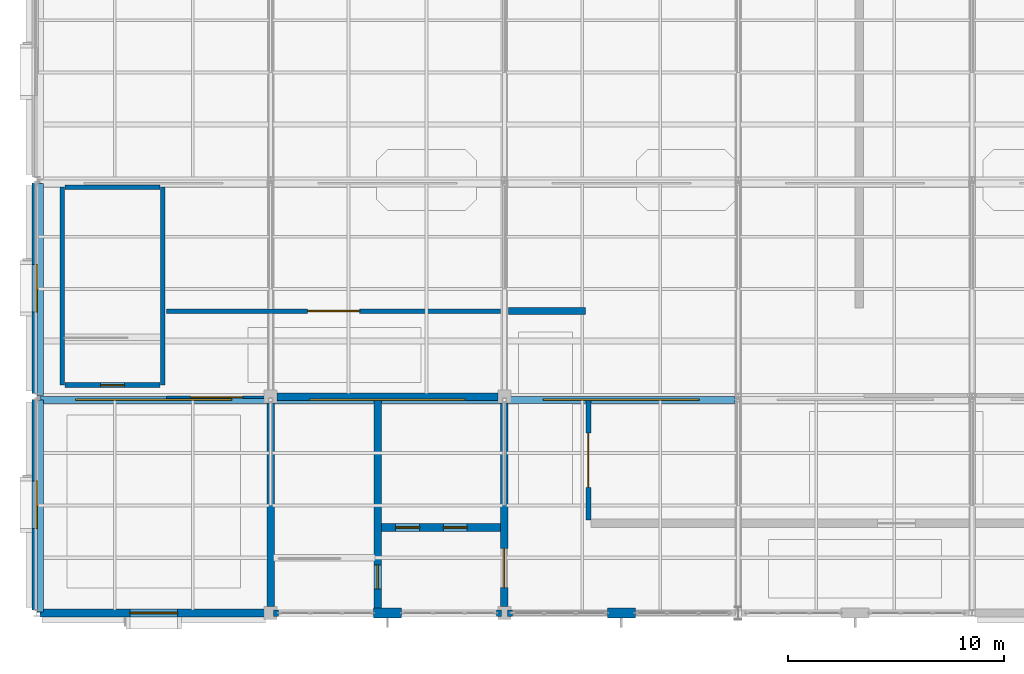
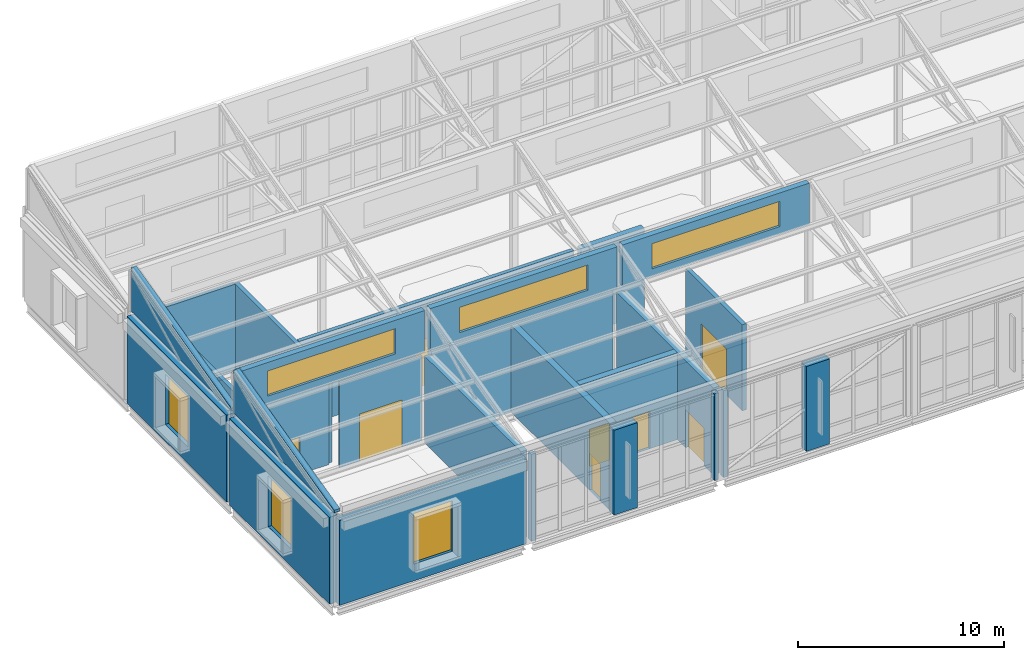
# One storey, part 39 of 49: 26 walls, 8 doors, 6 windows, 14 openings.
"""IFC4 building model written with IfcOpenShell, lengths in metres."""

from ifc_helpers import new_model, si_unit, direction, frame, frame_2d, origin, place, context, subcontext, project, spatial, polyline, rectangle, outline, extrude, material, layer, layer_set, type_object, element, fill, save


model = new_model("IFC4")

# Units and contexts
model_context = context("Model", 3, precision=1e-05, world=origin(), true_north=direction((0.0, 1.0)))
body_context = subcontext(model_context, "Body", "Model", "MODEL_VIEW")
ifc_project = project(units=[si_unit("LENGTHUNIT", "METRE"), si_unit("AREAUNIT", "SQUARE_METRE"), si_unit("VOLUMEUNIT", "CUBIC_METRE"), si_unit("PLANEANGLEUNIT", "RADIAN"), si_unit("MASSUNIT", "GRAM", prefix="KILO")], contexts=[model_context])

# Site, building, storey
site_placement = place(None, origin())
site = spatial("IfcSite", under=ifc_project, at=site_placement, CompositionType="ELEMENT")
building_placement = place(site_placement, origin())
building = spatial("IfcBuilding", under=site, at=building_placement, Name="Tasgan Crest Museum", CompositionType="ELEMENT")
storey_placement = place(building_placement, frame((0.0, 0.0, 28.800048828125)))
storey = spatial("IfcBuildingStorey", under=building, at=storey_placement, Name="L05", CompositionType="ELEMENT", Elevation=28.800048828125)

# Walls
ifc_material_1 = material(Name="Concrete C40/50", Category="concrete")
ifc_layer_1 = layer(ifc_material_1, 0.35009765625, Name="WL-CORE-350")
ifc_layer_set_1 = layer_set([ifc_layer_1], Name="Concrete C40/50")
wall_type_1 = type_object("IfcWallType", Name="WL-CORE-350", PredefinedType="SHEAR", material=ifc_layer_set_1)
wall_1_placement = place(storey_placement, frame((11.10009765625, 92.0, 0.0), z_axis=(0.0, 0.0, 1.0), x_axis=(1.0, 0.0, 0.0)))
element("IfcWall", 1, at=wall_1_placement, inside=storey, type_object=wall_type_1, Name="North-West Gallery Core north shear wall L05", PredefinedType="SHEAR", context=body_context, shape_type="SweptSolid", body=[
    extrude(rectangle(XDim=10.199951171875, YDim=0.35009765625, at=frame_2d((5.10009765625, 0.0))), origin(), (0.0, 0.0, 1.0), 5.159912109375),
])
wall_2_placement = place(storey_placement, frame((10.800048828125, 82.300048828125, 0.0), z_axis=(0.0, 0.0, 1.0), x_axis=(0.0, 1.0, 0.0)))
element("IfcWall", 2, at=wall_2_placement, inside=storey, type_object=wall_type_1, Name="North-West Gallery Core west shear wall L05", PredefinedType="SHEAR", context=body_context, shape_type="SweptSolid", body=[
    extrude(rectangle(XDim=9.39990234375, YDim=0.35009765625, at=frame_2d((4.699951171875, 0.0))), origin(), (0.0, 0.0, 1.0), 5.159912109375),
])

# Wall, opening, door
wall_3_placement = place(storey_placement, frame((21.60009765625, 82.300048828125, 0.0), z_axis=(0.0, 0.0, 1.0), x_axis=(0.0, 1.0, 0.0)))
wall_3 = element("IfcWall", 3, at=wall_3_placement, inside=storey, type_object=wall_type_1, Name="North-West Gallery Core east shear wall L05", PredefinedType="SHEAR", context=body_context, shape_type="SweptSolid", body=[
    extrude(rectangle(XDim=9.39990234375, YDim=0.35009765625, at=frame_2d((4.699951171875, 0.0))), origin(), (0.0, 0.0, 1.0), 5.159912109375),
])
opening_1_placement = place(wall_3_placement, frame((0.8798828125, 0.0, 0.0)))
opening_1 = element("IfcOpeningElement", 4, at=opening_1_placement, cuts=wall_3, Name="Opening LD-NW-L05", PredefinedType="OPENING", context=body_context, shape_type="SweptSolid", body=[
    extrude(rectangle(XDim=1.800048828125, YDim=2.25, at=frame_2d((0.89990234375, 1.125))), frame((0.0, 0.18505859375, 0.0), z_axis=(0.0, -1.0, 0.0), x_axis=(1.0, 0.0, 0.0)), (0.0, 0.0, 1.0), 0.3701171875),
])
ifc_material_2 = material(Name="Fire-Rated Double Lobby Door")
door_type_1 = type_object("IfcDoorType", Name="DR-FD2-1800", OperationType="NOTDEFINED", PredefinedType="DOOR", material=ifc_material_2)
door_1_placement = place(opening_1_placement, origin())
door_1 = element("IfcDoor", 5, at=door_1_placement, inside=storey, type_object=door_type_1, Name="North-West Gallery Core lobby door L05", OperationType="DOUBLE_DOOR_SINGLE_SWING", OverallHeight=2.25, OverallWidth=1.800048828125, PredefinedType="DOOR", context=body_context, shape_type="SweptSolid", body=[
    extrude(rectangle(XDim=1.800048828125, YDim=2.25, at=frame_2d((0.89990234375, 1.125))), frame((0.0, 0.02490234375, 0.0), z_axis=(0.0, -1.0, 0.0), x_axis=(1.0, 0.0, 0.0)), (0.0, 0.0, 1.0), 0.050048828125),
])
fill(opening_1, door_1)

wall_4_placement = place(storey_placement, frame((15.75, 82.219970703125, 0.0), z_axis=(0.0, 0.0, 1.0), x_axis=(0.0, 1.0, 0.0)))
wall_4 = element("IfcWall", 6, at=wall_4_placement, inside=storey, type_object=wall_type_1, Name="North-West Gallery Core stair-lobby shear wall L05", PredefinedType="SHEAR", context=body_context, shape_type="SweptSolid", body=[
    extrude(rectangle(XDim=9.60498046875, YDim=0.35009765625, at=frame_2d((4.802490234375, 0.0))), origin(), (0.0, 0.0, 1.0), 5.159912109375),
])
opening_2_placement = place(wall_4_placement, frame((0.89990234375, 0.0, 0.0)))
opening_2 = element("IfcOpeningElement", 7, at=opening_2_placement, cuts=wall_4, Name="Opening SD-NW-L05", PredefinedType="OPENING", context=body_context, shape_type="SweptSolid", body=[
    extrude(rectangle(XDim=1.10009765625, YDim=2.199951171875, at=frame_2d((0.550048828125, 1.10009765625))), frame((0.0, 0.18505859375, 0.0), z_axis=(0.0, -1.0, 0.0), x_axis=(1.0, 0.0, 0.0)), (0.0, 0.0, 1.0), 0.3701171875),
])
ifc_material_3 = material(Name="Fire-Rated Steel Door", Category="steel")
door_type_2 = type_object("IfcDoorType", Name="DR-FD1-1100", OperationType="NOTDEFINED", PredefinedType="DOOR", material=ifc_material_3)
door_2_placement = place(opening_2_placement, origin())
door_2 = element("IfcDoor", 8, at=door_2_placement, inside=storey, type_object=door_type_2, Name="North-West Gallery Core stair door L05", OperationType="SINGLE_SWING_RIGHT", OverallHeight=2.199951171875, OverallWidth=1.10009765625, PredefinedType="DOOR", context=body_context, shape_type="SweptSolid", body=[
    extrude(rectangle(XDim=1.10009765625, YDim=2.199951171875, at=frame_2d((0.550048828125, 1.10009765625))), frame((0.0, 0.02490234375, 0.0), z_axis=(0.0, -1.0, 0.0), x_axis=(1.0, 0.0, 0.0)), (0.0, 0.0, 1.0), 0.050048828125),
])
fill(opening_2, door_2)

# Wall, openings, doors
wall_5_placement = place(storey_placement, frame((15.929931640625, 85.949951171875, 0.0), z_axis=(0.0, 0.0, 1.0), x_axis=(1.0, 0.0, 0.0)))
wall_5 = element("IfcWall", 9, at=wall_5_placement, inside=storey, type_object=wall_type_1, Name="North-West Gallery Core lift-shaft wall L05", PredefinedType="SHEAR", context=body_context, shape_type="SweptSolid", body=[
    extrude(rectangle(XDim=5.489990234375, YDim=0.35009765625, at=frame_2d((2.7451171875, 0.0))), origin(), (0.0, 0.0, 1.0), 5.159912109375),
])
opening_3_placement = place(wall_5_placement, frame((0.64990234375, 0.0, 0.0)))
opening_3 = element("IfcOpeningElement", 10, at=opening_3_placement, cuts=wall_5, Name="Opening LD-FL1", PredefinedType="OPENING", context=body_context, shape_type="SweptSolid", body=[
    extrude(rectangle(XDim=1.10009765625, YDim=2.199951171875, at=frame_2d((0.550048828125, 1.10009765625))), frame((0.0, 0.18505859375, 0.0), z_axis=(0.0, -1.0, 0.0), x_axis=(1.0, 0.0, 0.0)), (0.0, 0.0, 1.0), 0.3701171875),
])
opening_4_placement = place(wall_5_placement, frame((2.85009765625, 0.0, 0.0)))
opening_4 = element("IfcOpeningElement", 11, at=opening_4_placement, cuts=wall_5, Name="Opening LD-PL1", PredefinedType="OPENING", context=body_context, shape_type="SweptSolid", body=[
    extrude(rectangle(XDim=1.10009765625, YDim=2.199951171875, at=frame_2d((0.550048828125, 1.10009765625))), frame((0.0, 0.18505859375, 0.0), z_axis=(0.0, -1.0, 0.0), x_axis=(1.0, 0.0, 0.0)), (0.0, 0.0, 1.0), 0.3701171875),
])
ifc_material_4 = material(Name="Stainless Steel Firefighting Lift Landing Door", Category="steel")
door_type_3 = type_object("IfcDoorType", Name="LD-FF-1100", OperationType="NOTDEFINED", PredefinedType="DOOR", material=ifc_material_4)
door_3_placement = place(opening_3_placement, origin())
door_3 = element("IfcDoor", 12, at=door_3_placement, inside=storey, type_object=door_type_3, Name="Firefighting lift landing door FL1 L05", OperationType="DOUBLE_DOOR_SLIDING", OverallHeight=2.199951171875, OverallWidth=1.10009765625, PredefinedType="DOOR", context=body_context, shape_type="SweptSolid", body=[
    extrude(rectangle(XDim=1.10009765625, YDim=2.199951171875, at=frame_2d((0.550048828125, 1.10009765625))), frame((0.0, 0.02490234375, 0.0), z_axis=(0.0, -1.0, 0.0), x_axis=(1.0, 0.0, 0.0)), (0.0, 0.0, 1.0), 0.050048828125),
])
fill(opening_3, door_3)
ifc_material_5 = material(Name="Brushed Bronze Passenger Lift Landing Door")
door_type_4 = type_object("IfcDoorType", Name="LD-PAX-1100", OperationType="NOTDEFINED", PredefinedType="DOOR", material=ifc_material_5)
door_4_placement = place(opening_4_placement, origin())
door_4 = element("IfcDoor", 13, at=door_4_placement, inside=storey, type_object=door_type_4, Name="Lift landing sliding door PL1 L05", OperationType="DOUBLE_DOOR_SLIDING", OverallHeight=2.199951171875, OverallWidth=1.10009765625, PredefinedType="DOOR", context=body_context, shape_type="SweptSolid", body=[
    extrude(rectangle(XDim=1.10009765625, YDim=2.199951171875, at=frame_2d((0.550048828125, 1.10009765625))), frame((0.0, 0.02490234375, 0.0), z_axis=(0.0, -1.0, 0.0), x_axis=(1.0, 0.0, 0.0)), (0.0, 0.0, 1.0), 0.050048828125),
])
fill(opening_4, door_4)

# Wall, opening, window
ifc_material_6 = material(Name="Precast concrete C40/50", Category="concrete")
ifc_layer_2 = layer(ifc_material_6, 0.3798828125, Name="WL-EXT-CANT-380")
ifc_layer_set_2 = layer_set([ifc_layer_2], Name="Precast concrete C40/50")
wall_type_2 = type_object("IfcWallType", Name="WL-EXT-CANT-380", PredefinedType="STANDARD", material=ifc_layer_set_2)
wall_6_placement = place(storey_placement, frame((0.14501953125, 82.0, 0.0), z_axis=(0.0, 0.0, 1.0), x_axis=(1.0, 0.0, 0.0)))
wall_6 = element("IfcWall", 14, at=wall_6_placement, inside=storey, type_object=wall_type_2, Name="Exterior wall L05 (5.4,82.0)", PredefinedType="STANDARD", context=body_context, shape_type="SweptSolid", body=[
    extrude(rectangle(XDim=10.510009765625, YDim=0.3798828125, at=frame_2d((5.2548828125, 0.0))), origin(), (0.0, 0.0, 1.0), 5.0439453125),
])
opening_5_placement = place(wall_6_placement, frame((4.155029296875, 0.0, 1.0)))
opening_5 = element("IfcOpeningElement", 15, at=opening_5_placement, cuts=wall_6, Name="Opening W10", PredefinedType="OPENING", context=body_context, shape_type="SweptSolid", body=[
    extrude(rectangle(XDim=2.199951171875, YDim=3.0, at=frame_2d((1.10009765625, 1.5))), frame((0.0, 0.199951171875, 0.0), z_axis=(0.0, -1.0, 0.0), x_axis=(1.0, 0.0, 0.0)), (0.0, 0.0, 1.0), 0.39990234375),
])
ifc_material_7 = material(Name="Thermally Broken Triple-Glazed Aluminium", Category="aluminium")
window_type_1 = type_object("IfcWindowType", Name="WN-GAL-SAW-2200X3000", PartitioningType="SINGLE_PANEL", PredefinedType="WINDOW", material=ifc_material_7)
window_1_placement = place(opening_5_placement, origin())
window_1 = element("IfcWindow", 16, at=window_1_placement, inside=storey, type_object=window_type_1, Name="Window W10 L05-075", OverallHeight=3.0, OverallWidth=2.199951171875, PartitioningType="SINGLE_PANEL", PredefinedType="WINDOW", context=body_context, shape_type="SweptSolid", body=[
    extrude(rectangle(XDim=2.199951171875, YDim=3.0, at=frame_2d((1.10009765625, 1.5))), frame((0.0, 0.030029296875, 0.0), z_axis=(0.0, -1.0, 0.0), x_axis=(1.0, 0.0, 0.0)), (0.0, 0.0, 1.0), 0.06005859375),
])
fill(opening_5, window_1)

# Walls
ifc_material_8 = material(Name="Precast concrete C40/50", Category="concrete")
ifc_layer_3 = layer(ifc_material_8, 0.320068359375, Name="WL-EXT-CLER-320")
ifc_layer_set_3 = layer_set([ifc_layer_3], Name="Precast concrete C40/50")
wall_type_3 = type_object("IfcWallType", Name="WL-EXT-CLER-320", PredefinedType="STANDARD", material=ifc_layer_set_3)
wall_7_placement = place(storey_placement, frame((10.945068359375, 82.0, 0.0), z_axis=(0.0, 0.0, 1.0), x_axis=(1.0, 0.0, 0.0)))
element("IfcWall", 17, at=wall_7_placement, inside=storey, type_object=wall_type_3, Name="Curtain wall jamb closure L05 JL", PredefinedType="STANDARD", context=body_context, shape_type="SweptSolid", body=[
    extrude(rectangle(XDim=0.224853515625, YDim=0.300048828125, at=frame_2d((0.1123046875, 0.0))), origin(), (0.0, 0.0, 1.0), 5.159912109375),
])
wall_8_placement = place(storey_placement, frame((21.22998046875, 82.0, 0.0), z_axis=(0.0, 0.0, 1.0), x_axis=(1.0, 0.0, 0.0)))
element("IfcWall", 18, at=wall_8_placement, inside=storey, type_object=wall_type_3, Name="Curtain wall jamb closure L05 JR", PredefinedType="STANDARD", context=body_context, shape_type="SweptSolid", body=[
    extrude(rectangle(XDim=0.22509765625, YDim=0.300048828125, at=frame_2d((0.112548828125, 0.0))), origin(), (0.0, 0.0, 1.0), 5.159912109375),
])
wall_9_placement = place(storey_placement, frame((21.7451171875, 82.0, 0.0), z_axis=(0.0, 0.0, 1.0), x_axis=(1.0, 0.0, 0.0)))
element("IfcWall", 19, at=wall_9_placement, inside=storey, type_object=wall_type_3, Name="Curtain wall jamb closure L05 JL", PredefinedType="STANDARD", context=body_context, shape_type="SweptSolid", body=[
    extrude(rectangle(XDim=0.224853515625, YDim=0.300048828125, at=frame_2d((0.1123046875, 0.0))), origin(), (0.0, 0.0, 1.0), 5.159912109375),
])

# Wall, opening, window
wall_10_placement = place(storey_placement, frame((0.159912109375, 91.85009765625, 5.39990234375), z_axis=(0.0, 0.0, 1.0), x_axis=(1.0, 0.0, 0.0)))
wall_10 = element("IfcWall", 20, at=wall_10_placement, inside=storey, type_object=wall_type_3, Name="Sawtooth north clerestory wall B1 0.0-10.8", PredefinedType="STANDARD", context=body_context, shape_type="SweptSolid", body=[
    extrude(rectangle(XDim=10.47998046875, YDim=0.320068359375, at=frame_2d((5.239990234375, 0.0))), origin(), (0.0, 0.0, 1.0), 2.449951171875),
])
opening_6_placement = place(wall_10_placement, frame((1.639892578125, 0.0, 0.449951171875)))
opening_6 = element("IfcOpeningElement", 21, at=opening_6_placement, cuts=wall_10, Name="Opening RL01", PredefinedType="OPENING", context=body_context, shape_type="SweptSolid", body=[
    extrude(rectangle(XDim=7.199951171875, YDim=1.5, at=frame_2d((3.60009765625, 0.75))), frame((0.0, 0.169921875, 0.0), z_axis=(0.0, -1.0, 0.0), x_axis=(1.0, 0.0, 0.0)), (0.0, 0.0, 1.0), 0.340087890625),
])
ifc_material_9 = material(Name="Thermally Broken Triple-Glazed Aluminium", Category="aluminium")
window_type_2 = type_object("IfcWindowType", Name="RF-SAW-7200X1500", PartitioningType="SINGLE_PANEL", PredefinedType="SKYLIGHT", material=ifc_material_9)
window_2_placement = place(opening_6_placement, origin())
window_2 = element("IfcWindow", 22, at=window_2_placement, inside=storey, type_object=window_type_2, Name="Rooflight RL-01", OverallHeight=1.5, OverallWidth=7.199951171875, PartitioningType="SINGLE_PANEL", PredefinedType="SKYLIGHT", context=body_context, shape_type="SweptSolid", body=[
    extrude(rectangle(XDim=7.199951171875, YDim=1.5, at=frame_2d((3.60009765625, 0.75))), frame((0.0, 0.030029296875, 0.0), z_axis=(0.0, -1.0, 0.0), x_axis=(1.0, 0.0, 0.0)), (0.0, 0.0, 1.0), 0.06005859375),
])
fill(opening_6, window_2)

wall_11_placement = place(storey_placement, frame((10.9599609375, 91.85009765625, 5.39990234375), z_axis=(0.0, 0.0, 1.0), x_axis=(1.0, 0.0, 0.0)))
wall_11 = element("IfcWall", 23, at=wall_11_placement, inside=storey, type_object=wall_type_3, Name="Sawtooth north clerestory wall B1 10.8-21.6", PredefinedType="STANDARD", context=body_context, shape_type="SweptSolid", body=[
    extrude(rectangle(XDim=10.47998046875, YDim=0.320068359375, at=frame_2d((5.239990234375, 0.0))), origin(), (0.0, 0.0, 1.0), 2.449951171875),
])
opening_7_placement = place(wall_11_placement, frame((1.639892578125, 0.0, 0.449951171875)))
opening_7 = element("IfcOpeningElement", 24, at=opening_7_placement, cuts=wall_11, Name="Opening RL01", PredefinedType="OPENING", context=body_context, shape_type="SweptSolid", body=[
    extrude(rectangle(XDim=7.199951171875, YDim=1.5, at=frame_2d((3.60009765625, 0.75))), frame((0.0, 0.169921875, 0.0), z_axis=(0.0, -1.0, 0.0), x_axis=(1.0, 0.0, 0.0)), (0.0, 0.0, 1.0), 0.340087890625),
])
window_3_placement = place(opening_7_placement, origin())
window_3 = element("IfcWindow", 25, at=window_3_placement, inside=storey, type_object=window_type_2, Name="Rooflight RL-02", OverallHeight=1.5, OverallWidth=7.199951171875, PartitioningType="SINGLE_PANEL", PredefinedType="SKYLIGHT", context=body_context, shape_type="SweptSolid", body=[
    extrude(rectangle(XDim=7.199951171875, YDim=1.5, at=frame_2d((3.60009765625, 0.75))), frame((0.0, 0.030029296875, 0.0), z_axis=(0.0, -1.0, 0.0), x_axis=(1.0, 0.0, 0.0)), (0.0, 0.0, 1.0), 0.06005859375),
])
fill(opening_7, window_3)

wall_12_placement = place(storey_placement, frame((21.760009765625, 91.85009765625, 5.39990234375), z_axis=(0.0, 0.0, 1.0), x_axis=(1.0, 0.0, 0.0)))
wall_12 = element("IfcWall", 26, at=wall_12_placement, inside=storey, type_object=wall_type_3, Name="Sawtooth north clerestory wall B1 21.6-32.4", PredefinedType="STANDARD", context=body_context, shape_type="SweptSolid", body=[
    extrude(rectangle(XDim=10.47998046875, YDim=0.320068359375, at=frame_2d((5.239990234375, 0.0))), origin(), (0.0, 0.0, 1.0), 2.449951171875),
])
opening_8_placement = place(wall_12_placement, frame((1.639892578125, 0.0, 0.449951171875)))
opening_8 = element("IfcOpeningElement", 27, at=opening_8_placement, cuts=wall_12, Name="Opening RL01", PredefinedType="OPENING", context=body_context, shape_type="SweptSolid", body=[
    extrude(rectangle(XDim=7.199951171875, YDim=1.5, at=frame_2d((3.60009765625, 0.75))), frame((0.0, 0.169921875, 0.0), z_axis=(0.0, -1.0, 0.0), x_axis=(1.0, 0.0, 0.0)), (0.0, 0.0, 1.0), 0.340087890625),
])
window_4_placement = place(opening_8_placement, origin())
window_4 = element("IfcWindow", 28, at=window_4_placement, inside=storey, type_object=window_type_2, Name="Rooflight RL-03", OverallHeight=1.5, OverallWidth=7.199951171875, PartitioningType="SINGLE_PANEL", PredefinedType="SKYLIGHT", context=body_context, shape_type="SweptSolid", body=[
    extrude(rectangle(XDim=7.199951171875, YDim=1.5, at=frame_2d((3.60009765625, 0.75))), frame((0.0, 0.030029296875, 0.0), z_axis=(0.0, -1.0, 0.0), x_axis=(1.0, 0.0, 0.0)), (0.0, 0.0, 1.0), 0.06005859375),
])
fill(opening_8, window_4)

# Walls
for number, where, z_axis, x_axis, name in (
    (29, (0.159912109375, 82.050048828125, 5.39990234375), (0.0, 0.0, 1.0), (0.0, 1.0, 0.0), "Sawtooth gable wall B1 W"),
    (30, (0.159912109375, 92.050048828125, 5.39990234375), (0.0, 0.0, 1.0), (0.0, 1.0, 0.0), "Sawtooth gable wall B2 W"),
):
    element("IfcWall", number, at=place(storey_placement, frame(where, z_axis=z_axis, x_axis=x_axis)), inside=storey, type_object=wall_type_3, Name=name, PredefinedType="STANDARD", context=body_context, shape_type="SweptSolid", body=[
        extrude(outline(polyline([(0.0, 0.0), (9.800048828125, 0.0), (9.800048828125, 2.550048828125), (0.0, 0.150146484375), (0.0, 0.0)])), frame((0.0, 0.16015625, 0.0), z_axis=(0.0, -1.0, 0.0), x_axis=(1.0, 0.0, 0.0)), (0.0, 0.0, 1.0), 0.320068359375),
    ])
ifc_material_10 = material(Name="Precast concrete C40/50", Category="concrete")
ifc_layer_4 = layer(ifc_material_10, 0.47998046875, Name="WL-EXT-GRAN-480")
ifc_layer_set_4 = layer_set([ifc_layer_4], Name="Precast concrete C40/50")
wall_type_4 = type_object("IfcWallType", Name="WL-EXT-GRAN-480", PredefinedType="STANDARD", material=ifc_layer_set_4)
wall_13_placement = place(storey_placement, frame((15.550048828125, 82.0, 0.0), z_axis=(0.0, 0.0, 1.0), x_axis=(1.0, 0.0, 0.0)))
element("IfcWall", 31, at=wall_13_placement, inside=storey, type_object=wall_type_4, Name="Postmodern facade stone pier L05", PredefinedType="STANDARD", context=body_context, shape_type="SweptSolid", body=[
    extrude(rectangle(XDim=1.300048828125, YDim=0.47998046875, at=frame_2d((0.64990234375, 0.0))), origin(), (0.0, 0.0, 1.0), 5.0439453125),
])
wall_14_placement = place(storey_placement, frame((26.35009765625, 82.0, 0.0), z_axis=(0.0, 0.0, 1.0), x_axis=(1.0, 0.0, 0.0)))
element("IfcWall", 32, at=wall_14_placement, inside=storey, type_object=wall_type_4, Name="Postmodern facade stone pier L05", PredefinedType="STANDARD", context=body_context, shape_type="SweptSolid", body=[
    extrude(rectangle(XDim=1.2998046875, YDim=0.47998046875, at=frame_2d((0.64990234375, 0.0))), origin(), (0.0, 0.0, 1.0), 5.0439453125),
])

# Wall, opening, window
ifc_material_11 = material(Name="Precast concrete C40/50", Category="concrete")
ifc_layer_5 = layer(ifc_material_11, 0.449951171875, Name="WL-EXT-LIME-450")
ifc_layer_set_5 = layer_set([ifc_layer_5], Name="Precast concrete C40/50")
wall_type_5 = type_object("IfcWallType", Name="WL-EXT-LIME-450", PredefinedType="STANDARD", material=ifc_layer_set_5)
wall_15_placement = place(storey_placement, frame((0.0, 101.85498046875, 0.0), z_axis=(0.0, 0.0, 1.0), x_axis=(0.0, -1.0, 0.0)))
wall_15 = element("IfcWall", 33, at=wall_15_placement, inside=storey, type_object=wall_type_5, Name="Exterior wall L05 (0.0,97.0)", PredefinedType="STANDARD", context=body_context, shape_type="SweptSolid", body=[
    extrude(rectangle(XDim=9.7099609375, YDim=0.449951171875, at=frame_2d((4.85498046875, 0.0))), origin(), (0.0, 0.0, 1.0), 5.159912109375),
])
opening_9_placement = place(wall_15_placement, frame((3.7548828125, 0.0, 1.0)))
opening_9 = element("IfcOpeningElement", 34, at=opening_9_placement, cuts=wall_15, Name="Opening W10", PredefinedType="OPENING", context=body_context, shape_type="SweptSolid", body=[
    extrude(rectangle(XDim=2.199951171875, YDim=3.0, at=frame_2d((1.10009765625, 1.5))), frame((0.0, 0.23486328125, 0.0), z_axis=(0.0, -1.0, 0.0), x_axis=(1.0, 0.0, 0.0)), (0.0, 0.0, 1.0), 0.469970703125),
])
window_5_placement = place(opening_9_placement, origin())
window_5 = element("IfcWindow", 35, at=window_5_placement, inside=storey, type_object=window_type_1, Name="Window W10 L05-073", OverallHeight=3.0, OverallWidth=2.199951171875, PartitioningType="SINGLE_PANEL", PredefinedType="WINDOW", context=body_context, shape_type="SweptSolid", body=[
    extrude(rectangle(XDim=2.199951171875, YDim=3.0, at=frame_2d((1.10009765625, 1.5))), frame((0.0, 0.030029296875, 0.0), z_axis=(0.0, -1.0, 0.0), x_axis=(1.0, 0.0, 0.0)), (0.0, 0.0, 1.0), 0.06005859375),
])
fill(opening_9, window_5)

wall_16_placement = place(storey_placement, frame((0.0, 91.85498046875, 0.0), z_axis=(0.0, 0.0, 1.0), x_axis=(0.0, -1.0, 0.0)))
wall_16 = element("IfcWall", 36, at=wall_16_placement, inside=storey, type_object=wall_type_5, Name="Exterior wall L05 (0.0,87.0)", PredefinedType="STANDARD", context=body_context, shape_type="SweptSolid", body=[
    extrude(rectangle(XDim=9.7099609375, YDim=0.449951171875, at=frame_2d((4.85498046875, 0.0))), origin(), (0.0, 0.0, 1.0), 5.159912109375),
])
opening_10_placement = place(wall_16_placement, frame((3.7548828125, 0.0, 1.0)))
opening_10 = element("IfcOpeningElement", 37, at=opening_10_placement, cuts=wall_16, Name="Opening W10", PredefinedType="OPENING", context=body_context, shape_type="SweptSolid", body=[
    extrude(rectangle(XDim=2.199951171875, YDim=3.0, at=frame_2d((1.10009765625, 1.5))), frame((0.0, 0.23486328125, 0.0), z_axis=(0.0, -1.0, 0.0), x_axis=(1.0, 0.0, 0.0)), (0.0, 0.0, 1.0), 0.469970703125),
])
window_6_placement = place(opening_10_placement, origin())
window_6 = element("IfcWindow", 38, at=window_6_placement, inside=storey, type_object=window_type_1, Name="Window W10 L05-074", OverallHeight=3.0, OverallWidth=2.199951171875, PartitioningType="SINGLE_PANEL", PredefinedType="WINDOW", context=body_context, shape_type="SweptSolid", body=[
    extrude(rectangle(XDim=2.199951171875, YDim=3.0, at=frame_2d((1.10009765625, 1.5))), frame((0.0, 0.030029296875, 0.0), z_axis=(0.0, -1.0, 0.0), x_axis=(1.0, 0.0, 0.0)), (0.0, 0.0, 1.0), 0.06005859375),
])
fill(opening_10, window_6)

# Wall, opening, door
ifc_material_12 = material(Name="Gypsum Acoustic Museum Partition")
ifc_layer_6 = layer(ifc_material_12, 0.110107421875, Name="WL-SCH-01")
ifc_layer_set_6 = layer_set([ifc_layer_6], Name="Gypsum Acoustic Museum Partition")
wall_type_6 = type_object("IfcWallType", Name="WL-SCH-01", PredefinedType="PARTITIONING", material=ifc_layer_set_6)
wall_17_placement = place(storey_placement, frame((6.0, 91.97509765625, 0.0), z_axis=(0.0, 0.0, 1.0), x_axis=(1.0, 0.0, 0.0)))
wall_17 = element("IfcWall", 39, at=wall_17_placement, inside=storey, type_object=wall_type_6, Name="Partition West Top-Lit Sawtooth Natural Art Gallery / L05 North-West Stair Link Corridor L05", PredefinedType="PARTITIONING", context=body_context, shape_type="SweptSolid", body=[
    extrude(rectangle(XDim=4.6201171875, YDim=0.110107421875, at=frame_2d((2.31005859375, 0.0))), origin(), (0.0, 0.0, 1.0), 5.0439453125),
])
opening_11_placement = place(wall_17_placement, frame((1.110107421875, 0.0, 0.0)))
opening_11 = element("IfcOpeningElement", 40, at=opening_11_placement, cuts=wall_17, Name="Opening D097", PredefinedType="OPENING", context=body_context, shape_type="SweptSolid", body=[
    extrude(rectangle(XDim=2.39990234375, YDim=2.800048828125, at=frame_2d((1.199951171875, 1.39990234375))), frame((0.0, 0.06494140625, 0.0), z_axis=(0.0, -1.0, 0.0), x_axis=(1.0, 0.0, 0.0)), (0.0, 0.0, 1.0), 0.130126953125),
])
ifc_material_13 = material(Name="Bronze-Framed Gallery Portal Door")
door_type_5 = type_object("IfcDoorType", Name="DR-GAL-2400", OperationType="NOTDEFINED", PredefinedType="DOOR", material=ifc_material_13)
door_5_placement = place(opening_11_placement, origin())
door_5 = element("IfcDoor", 41, at=door_5_placement, inside=storey, type_object=door_type_5, Name="West Top-Lit Sawtooth Natural Art Gallery door D097", OperationType="DOUBLE_DOOR_SINGLE_SWING", OverallHeight=2.800048828125, OverallWidth=2.39990234375, PredefinedType="DOOR", context=body_context, shape_type="SweptSolid", body=[
    extrude(rectangle(XDim=2.39990234375, YDim=2.800048828125, at=frame_2d((1.199951171875, 1.39990234375))), frame((0.0, 0.02490234375, 0.0), z_axis=(0.0, -1.0, 0.0), x_axis=(1.0, 0.0, 0.0)), (0.0, 0.0, 1.0), 0.050048828125),
])
fill(opening_11, door_5)

ifc_material_14 = material(Name="Gypsum Acoustic Museum Partition")
ifc_layer_7 = layer(ifc_material_14, 0.2099609375, Name="WL-SCH-06")
ifc_layer_set_7 = layer_set([ifc_layer_7], Name="Gypsum Acoustic Museum Partition")
wall_type_7 = type_object("IfcWallType", Name="WL-SCH-06", PredefinedType="PARTITIONING", material=ifc_layer_set_7)
wall_18_placement = place(storey_placement, frame((6.0, 95.949951171875, 0.0), z_axis=(0.0, 0.0, 1.0), x_axis=(1.0, 0.0, 0.0)))
wall_18 = element("IfcWall", 42, at=wall_18_placement, inside=storey, type_object=wall_type_7, Name="Partition L05 North-West Stair Link Corridor / Central Top-Lit Sawtooth Paleobiology Gallery L05", PredefinedType="PARTITIONING", context=body_context, shape_type="SweptSolid", body=[
    extrude(rectangle(XDim=15.419921875, YDim=0.2099609375, at=frame_2d((7.7099609375, 0.0))), origin(), (0.0, 0.0, 1.0), 5.119873046875),
])
opening_12_placement = place(wall_18_placement, frame((6.510009765625, 0.0, 0.0)))
opening_12 = element("IfcOpeningElement", 43, at=opening_12_placement, cuts=wall_18, Name="Opening D101", PredefinedType="OPENING", context=body_context, shape_type="SweptSolid", body=[
    extrude(rectangle(XDim=2.39990234375, YDim=2.800048828125, at=frame_2d((1.199951171875, 1.39990234375))), frame((0.0, 0.114990234375, 0.0), z_axis=(0.0, -1.0, 0.0), x_axis=(1.0, 0.0, 0.0)), (0.0, 0.0, 1.0), 0.22998046875),
])
door_6_placement = place(opening_12_placement, origin())
door_6 = element("IfcDoor", 44, at=door_6_placement, inside=storey, type_object=door_type_5, Name="Central Top-Lit Sawtooth Paleobiology Gallery door D101", OperationType="DOUBLE_DOOR_SINGLE_SWING", OverallHeight=2.800048828125, OverallWidth=2.39990234375, PredefinedType="DOOR", context=body_context, shape_type="SweptSolid", body=[
    extrude(rectangle(XDim=2.39990234375, YDim=2.800048828125, at=frame_2d((1.199951171875, 1.39990234375))), frame((0.0, 0.02490234375, 0.0), z_axis=(0.0, -1.0, 0.0), x_axis=(1.0, 0.0, 0.0)), (0.0, 0.0, 1.0), 0.050048828125),
])
fill(opening_12, door_6)

ifc_material_15 = material(Name="Gypsum Acoustic Museum Partition")
ifc_layer_8 = layer(ifc_material_15, 0.22998046875, Name="WL-SCH-07")
ifc_layer_set_8 = layer_set([ifc_layer_8], Name="Gypsum Acoustic Museum Partition")
wall_type_8 = type_object("IfcWallType", Name="WL-SCH-07", PredefinedType="PARTITIONING", material=ifc_layer_set_8)
wall_19_placement = place(storey_placement, frame((25.47509765625, 86.300048828125, 0.0), z_axis=(0.0, 0.0, 1.0), x_axis=(0.0, 1.0, 0.0)))
wall_19 = element("IfcWall", 45, at=wall_19_placement, inside=storey, type_object=wall_type_8, Name="Partition Crest Sky Sculpture Gallery / L05 West Core Link Corridor L05", PredefinedType="PARTITIONING", context=body_context, shape_type="SweptSolid", body=[
    extrude(rectangle(XDim=5.52001953125, YDim=0.22998046875, at=frame_2d((2.760009765625, 0.0))), origin(), (0.0, 0.0, 1.0), 5.119873046875),
])
opening_13_placement = place(wall_19_placement, frame((1.510009765625, 0.0, 0.0)))
opening_13 = element("IfcOpeningElement", 46, at=opening_13_placement, cuts=wall_19, Name="Opening D102", PredefinedType="OPENING", context=body_context, shape_type="SweptSolid", body=[
    extrude(rectangle(XDim=2.5, YDim=2.75, at=frame_2d((1.25, 1.375))), frame((0.0, 0.125, 0.0), z_axis=(0.0, -1.0, 0.0), x_axis=(1.0, 0.0, 0.0)), (0.0, 0.0, 1.0), 0.25),
])
ifc_material_16 = material(Name="Oak and Brushed Bronze Acoustic Door")
door_type_6 = type_object("IfcDoorType", Name="DR-SCH-18", OperationType="NOTDEFINED", PredefinedType="DOOR", material=ifc_material_16)
door_7_placement = place(opening_13_placement, origin())
door_7 = element("IfcDoor", 47, at=door_7_placement, inside=storey, type_object=door_type_6, Name="Crest Sky Sculpture Gallery door D102", OperationType="DOUBLE_DOOR_SINGLE_SWING", OverallHeight=2.75, OverallWidth=2.5, PredefinedType="DOOR", context=body_context, shape_type="SweptSolid", body=[
    extrude(rectangle(XDim=2.5, YDim=2.75, at=frame_2d((1.25, 1.375))), frame((0.0, 0.02490234375, 0.0), z_axis=(0.0, -1.0, 0.0), x_axis=(1.0, 0.0, 0.0)), (0.0, 0.0, 1.0), 0.050048828125),
])
fill(opening_13, door_7)

# Walls
ifc_material_17 = material(Name="Gypsum Acoustic Museum Partition")
ifc_layer_9 = layer(ifc_material_17, 0.31005859375, Name="WL-SCH-10")
ifc_layer_set_9 = layer_set([ifc_layer_9], Name="Gypsum Acoustic Museum Partition")
wall_type_9 = type_object("IfcWallType", Name="WL-SCH-10", PredefinedType="PARTITIONING", material=ifc_layer_set_9)
wall_20_placement = place(storey_placement, frame((21.780029296875, 95.949951171875, 0.0), z_axis=(0.0, 0.0, 1.0), x_axis=(1.0, 0.0, 0.0)))
element("IfcWall", 48, at=wall_20_placement, inside=storey, type_object=wall_type_9, Name="Partition L05 West Core Link Corridor / Central Top-Lit Sawtooth Paleobiology Gallery L05", PredefinedType="PARTITIONING", context=body_context, shape_type="SweptSolid", body=[
    extrude(rectangle(XDim=3.570068359375, YDim=0.31005859375, at=frame_2d((1.78515625, 0.0))), origin(), (0.0, 0.0, 1.0), 5.119873046875),
])
ifc_material_18 = material(Name="Concrete C40/50", Category="concrete")
ifc_layer_10 = layer(ifc_material_18, 0.219970703125, Name="WL-SHAFT-220")
ifc_layer_set_10 = layer_set([ifc_layer_10], Name="Concrete C40/50")
wall_type_10 = type_object("IfcWallType", Name="WL-SHAFT-220", PredefinedType="SHEAR", material=ifc_layer_set_10)
for number, where, z_axis, x_axis, name in (
    (49, (1.179931640625, 92.530029296875, 0.0), (0.0, 0.0, 1.0), (0.0, 1.0, 0.0), "GALW stairwell wall L05 W"),
    (50, (5.820068359375, 92.530029296875, 0.0), (0.0, 0.0, 1.0), (0.0, 1.0, 0.0), "GALW stairwell wall L05 E"),
):
    element("IfcWall", number, at=place(storey_placement, frame(where, z_axis=z_axis, x_axis=x_axis)), inside=storey, type_object=wall_type_10, Name=name, PredefinedType="SHEAR", context=body_context, shape_type="SweptSolid", body=[
        extrude(rectangle(XDim=9.139892578125, YDim=0.219970703125, at=frame_2d((4.56982421875, 0.0))), origin(), (0.0, 0.0, 1.0), 5.159912109375),
    ])
wall_21_placement = place(storey_placement, frame((1.300048828125, 101.669921875, 0.0), z_axis=(0.0, 0.0, 1.0), x_axis=(1.0, 0.0, 0.0)))
element("IfcWall", 51, at=wall_21_placement, inside=storey, type_object=wall_type_10, Name="GALW stairwell wall L05 N", PredefinedType="SHEAR", context=body_context, shape_type="SweptSolid", body=[
    extrude(rectangle(XDim=4.39990234375, YDim=0.219970703125, at=frame_2d((2.199951171875, 0.0))), origin(), (0.0, 0.0, 1.0), 5.159912109375),
])

# Wall, opening, door
wall_22_placement = place(storey_placement, frame((1.300048828125, 92.530029296875, 0.0), z_axis=(0.0, 0.0, 1.0), x_axis=(1.0, 0.0, 0.0)))
wall_22 = element("IfcWall", 52, at=wall_22_placement, inside=storey, type_object=wall_type_10, Name="GALW stairwell wall L05 S", PredefinedType="SHEAR", context=body_context, shape_type="SweptSolid", body=[
    extrude(rectangle(XDim=4.39990234375, YDim=0.219970703125, at=frame_2d((2.199951171875, 0.0))), origin(), (0.0, 0.0, 1.0), 5.159912109375),
])
opening_14_placement = place(wall_22_placement, frame((1.64990234375, 0.0, 0.0)))
opening_14 = element("IfcOpeningElement", 53, at=opening_14_placement, cuts=wall_22, Name="Opening SD-GA-L05", PredefinedType="OPENING", context=body_context, shape_type="SweptSolid", body=[
    extrude(rectangle(XDim=1.10009765625, YDim=2.199951171875, at=frame_2d((0.550048828125, 1.10009765625))), frame((0.0, 0.119873046875, 0.0), z_axis=(0.0, -1.0, 0.0), x_axis=(1.0, 0.0, 0.0)), (0.0, 0.0, 1.0), 0.239990234375),
])
door_8_placement = place(opening_14_placement, origin())
door_8 = element("IfcDoor", 54, at=door_8_placement, inside=storey, type_object=door_type_2, Name="GALW protected stair door L05", OperationType="SINGLE_SWING_LEFT", OverallHeight=2.199951171875, OverallWidth=1.10009765625, PredefinedType="DOOR", context=body_context, shape_type="SweptSolid", body=[
    extrude(rectangle(XDim=1.10009765625, YDim=2.199951171875, at=frame_2d((0.550048828125, 1.10009765625))), frame((0.0, 0.02490234375, 0.0), z_axis=(0.0, -1.0, 0.0), x_axis=(1.0, 0.0, 0.0)), (0.0, 0.0, 1.0), 0.050048828125),
])
fill(opening_14, door_8)

save(model, "model.ifc")
